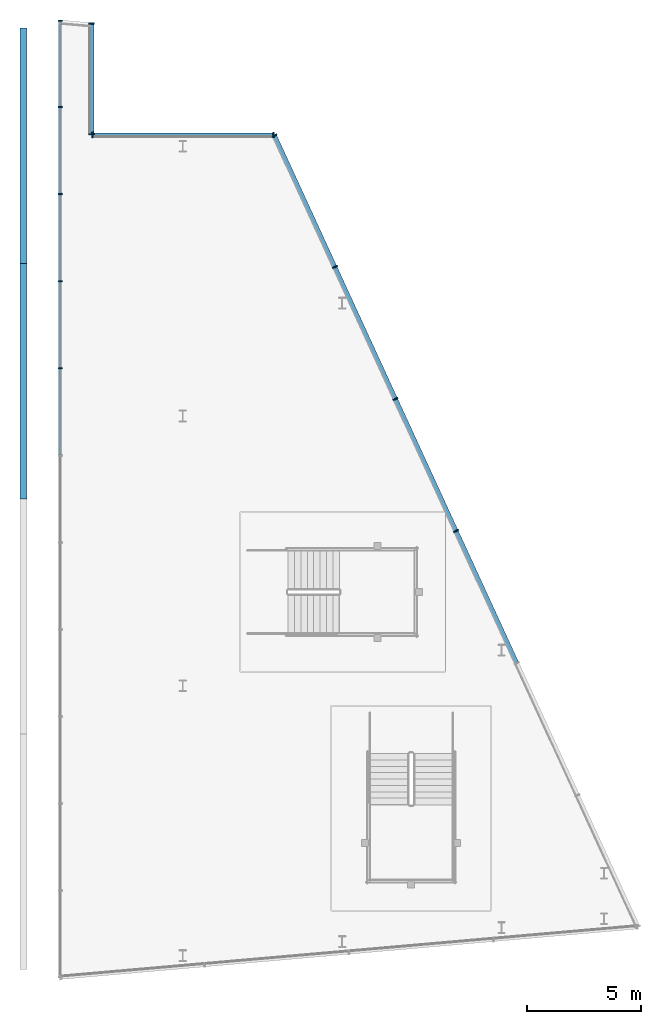
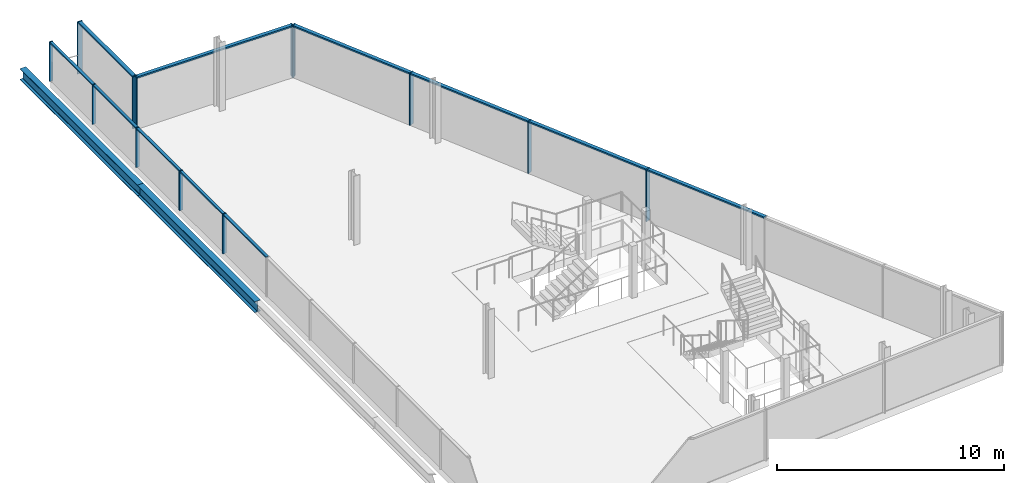
# One storey, part 3 of 6: 24 members, 2 beams, 4 elements without a shape of their own.
"""IFC4 building model written with IfcOpenShell, lengths in metres."""

from ifc_helpers import new_model, si_unit, direction, frame, origin, origin_2d, place, context, subcontext, project, spatial, rectangle, i_section, extrude, material, material_profile, profile_set, type_object, element, aggregate, save


model = new_model("IFC4")

# Units and contexts
model_context = context("Model", 3, precision=1e-05, world=origin(), true_north=direction((0.0, 1.0)))
body_context = subcontext(model_context, "Body", "Model", "MODEL_VIEW")
ifc_project = project(units=[si_unit("LENGTHUNIT", "METRE"), si_unit("AREAUNIT", "SQUARE_METRE"), si_unit("VOLUMEUNIT", "CUBIC_METRE"), si_unit("PLANEANGLEUNIT", "RADIAN"), si_unit("MASSUNIT", "GRAM", prefix="KILO")], contexts=[model_context])

# Site, building, storey
site_placement = place(None, origin())
site = spatial("IfcSite", under=ifc_project, at=site_placement, CompositionType="ELEMENT")
building_placement = place(site_placement, origin())
building = spatial("IfcBuilding", under=site, at=building_placement, Name="Wharfspan Tower", CompositionType="ELEMENT")
storey_placement = place(building_placement, frame((0.0, 0.0, 273.899902)))
storey = spatial("IfcBuildingStorey", under=building, at=storey_placement, Name="L70", CompositionType="ELEMENT", Elevation=273.899902)

# Curtain wall, members
ifc_material_1 = material(Name="Aluminium 6063-T6", Category="aluminium")
curtain_wall_type_1 = type_object("IfcCurtainWallType", Name="CURTAIN WALL CROWN GABLE", PredefinedType="NOTDEFINED", material=ifc_material_1)
curtain_wall_1_placement = place(storey_placement, origin())
curtain_wall_1 = element("IfcCurtainWall", 1, at=curtain_wall_1_placement, inside=storey, type_object=curtain_wall_type_1, Name="Crown gable glazing", PredefinedType="NOTDEFINED")
ifc_material_profile_1 = material_profile(ifc_material_1, rectangle(XDim=0.179932, YDim=0.060059, at=origin_2d()))
ifc_profile_set_1 = profile_set([ifc_material_profile_1], Name="Aluminium 6063-T6")
member_type_1 = type_object("IfcMemberType", Name="MULLION CROWN GABLE 60x180", PredefinedType="MULLION", material=ifc_profile_set_1)
member_1_placement = place(storey_placement, frame((52.611328, 33.349121, 0.0), z_axis=(0.0, 0.0, 1.0), x_axis=(-1.0, 0.0, 0.0)))
member_1 = element("IfcMember", 2, at=member_1_placement, type_object=member_type_1, Name="Crown gable glazing mullion 8", PredefinedType="MULLION", context=body_context, shape_type="SweptSolid", body=[
    extrude(rectangle(XDim=0.179932, YDim=0.060059, at=origin_2d()), origin(), (0.0, 0.0, 1.0), 2.124512),
])
member_2_placement = place(storey_placement, frame((52.611328, 37.17334, 0.0), z_axis=(0.0, 0.0, 1.0), x_axis=(-1.0, 0.0, 0.0)))
member_2 = element("IfcMember", 3, at=member_2_placement, type_object=member_type_1, Name="Crown gable glazing mullion 9", PredefinedType="MULLION", context=body_context, shape_type="SweptSolid", body=[
    extrude(rectangle(XDim=0.179932, YDim=0.060059, at=origin_2d()), origin(), (0.0, 0.0, 1.0), 2.124512),
])
member_3_placement = place(storey_placement, frame((52.611328, 40.997803, 0.0), z_axis=(0.0, 0.0, 1.0), x_axis=(-1.0, 0.0, 0.0)))
member_3 = element("IfcMember", 4, at=member_3_placement, type_object=member_type_1, Name="Crown gable glazing mullion 10", PredefinedType="MULLION", context=body_context, shape_type="SweptSolid", body=[
    extrude(rectangle(XDim=0.179932, YDim=0.060059, at=origin_2d()), origin(), (0.0, 0.0, 1.0), 2.124512),
])
member_4_placement = place(storey_placement, frame((52.611328, 44.822021, 0.0), z_axis=(0.0, 0.0, 1.0), x_axis=(-1.0, 0.0, 0.0)))
member_4 = element("IfcMember", 5, at=member_4_placement, type_object=member_type_1, Name="Crown gable glazing mullion 11", PredefinedType="MULLION", context=body_context, shape_type="SweptSolid", body=[
    extrude(rectangle(XDim=0.179932, YDim=0.060059, at=origin_2d()), origin(), (0.0, 0.0, 1.0), 2.124512),
])
member_5_placement = place(storey_placement, frame((52.611328, 48.616455, 0.0), z_axis=(0.0, 0.0, 1.0), x_axis=(-1.0, 0.0, 0.0)))
member_5 = element("IfcMember", 6, at=member_5_placement, type_object=member_type_1, Name="Crown gable glazing mullion 12", PredefinedType="MULLION", context=body_context, shape_type="SweptSolid", body=[
    extrude(rectangle(XDim=0.179932, YDim=0.060059, at=origin_2d()), origin(), (0.0, 0.0, 1.0), 2.124512),
])

curtain_wall_type_2 = type_object("IfcCurtainWallType", Name="CURTAIN WALL PROW AND END", PredefinedType="NOTDEFINED", material=ifc_material_1)
curtain_wall_2_placement = place(storey_placement, origin())
curtain_wall_2 = element("IfcCurtainWall", 7, at=curtain_wall_2_placement, inside=storey, type_object=curtain_wall_type_2, Name="Crown curtain wall E", PredefinedType="NOTDEFINED")
ifc_material_profile_2 = material_profile(ifc_material_1, rectangle(XDim=0.23999, YDim=0.060059, at=origin_2d()))
ifc_profile_set_2 = profile_set([ifc_material_profile_2], Name="Aluminium 6063-T6")
member_type_2 = type_object("IfcMemberType", Name="MULLION PROW AND END 60x240", PredefinedType="MULLION", material=ifc_profile_set_2)
member_6_placement = place(storey_placement, frame((70.010254, 26.199951, 0.0), z_axis=(0.0, 0.0, 1.0), x_axis=(-0.908769, -0.417292, 0.0)))
member_6 = element("IfcMember", 8, at=member_6_placement, type_object=member_type_2, Name="Crown curtain wall E mullion 4", PredefinedType="MULLION", context=body_context, shape_type="SweptSolid", body=[
    extrude(rectangle(XDim=0.23999, YDim=0.060059, at=origin_2d()), origin(), (0.0, 0.0, 1.0), 2.800049),
])
member_7_placement = place(storey_placement, frame((67.346924, 32.0, 0.0), z_axis=(0.0, 0.0, 1.0), x_axis=(-0.908769, -0.417292, 0.0)))
member_7 = element("IfcMember", 9, at=member_7_placement, type_object=member_type_2, Name="Crown curtain wall E mullion 5", PredefinedType="MULLION", context=body_context, shape_type="SweptSolid", body=[
    extrude(rectangle(XDim=0.23999, YDim=0.060059, at=origin_2d()), origin(), (0.0, 0.0, 1.0), 2.800049),
])
member_8_placement = place(storey_placement, frame((64.683594, 37.800049, 0.0), z_axis=(0.0, 0.0, 1.0), x_axis=(-0.908769, -0.417292, 0.0)))
member_8 = element("IfcMember", 10, at=member_8_placement, type_object=member_type_2, Name="Crown curtain wall E mullion 6", PredefinedType="MULLION", context=body_context, shape_type="SweptSolid", body=[
    extrude(rectangle(XDim=0.23999, YDim=0.060059, at=origin_2d()), origin(), (0.0, 0.0, 1.0), 2.800049),
])
member_9_placement = place(storey_placement, frame((62.032959, 43.572754, 0.0), z_axis=(0.0, 0.0, 1.0), x_axis=(-0.908769, -0.417292, 0.0)))
member_9 = element("IfcMember", 11, at=member_9_placement, type_object=member_type_2, Name="Crown curtain wall E mullion 7", PredefinedType="MULLION", context=body_context, shape_type="SweptSolid", body=[
    extrude(rectangle(XDim=0.23999, YDim=0.060059, at=origin_2d()), origin(), (0.0, 0.0, 1.0), 2.800049),
])

curtain_wall_3_placement = place(storey_placement, origin())
curtain_wall_3 = element("IfcCurtainWall", 12, at=curtain_wall_3_placement, inside=storey, type_object=curtain_wall_type_2, Name="Crown curtain wall NRE-H", PredefinedType="NOTDEFINED")
member_10_placement = place(storey_placement, frame((61.990479, 43.600098, 0.0), z_axis=(0.0, 0.0, 1.0), x_axis=(0.0, -1.0, 0.0)))
member_10 = element("IfcMember", 13, at=member_10_placement, type_object=member_type_2, Name="Crown curtain wall NRE-H mullion 1", PredefinedType="MULLION", context=body_context, shape_type="SweptSolid", body=[
    extrude(rectangle(XDim=0.23999, YDim=0.060059, at=origin_2d()), origin(), (0.0, 0.0, 1.0), 2.800049),
])
member_11_placement = place(storey_placement, frame((54.030029, 43.600098, 0.0), z_axis=(0.0, 0.0, 1.0), x_axis=(0.0, -1.0, 0.0)))
member_11 = element("IfcMember", 14, at=member_11_placement, type_object=member_type_2, Name="Crown curtain wall NRE-H mullion 2", PredefinedType="MULLION", context=body_context, shape_type="SweptSolid", body=[
    extrude(rectangle(XDim=0.23999, YDim=0.060059, at=origin_2d()), origin(), (0.0, 0.0, 1.0), 2.800049),
])

curtain_wall_4_placement = place(storey_placement, origin())
curtain_wall_4 = element("IfcCurtainWall", 15, at=curtain_wall_4_placement, inside=storey, type_object=curtain_wall_type_2, Name="Crown curtain wall NRE-V", PredefinedType="NOTDEFINED")
member_12_placement = place(storey_placement, frame((54.0, 43.629883, 0.0), z_axis=(0.0, 0.0, 1.0), x_axis=(-1.0, 0.0, 0.0)))
member_12 = element("IfcMember", 16, at=member_12_placement, type_object=member_type_2, Name="Crown curtain wall NRE-V mullion 1", PredefinedType="MULLION", context=body_context, shape_type="SweptSolid", body=[
    extrude(rectangle(XDim=0.23999, YDim=0.060059, at=origin_2d()), origin(), (0.0, 0.0, 1.0), 2.800049),
])
member_13_placement = place(storey_placement, frame((54.0, 48.494873, 0.0), z_axis=(0.0, 0.0, 1.0), x_axis=(-1.0, 0.0, 0.0)))
member_13 = element("IfcMember", 17, at=member_13_placement, type_object=member_type_2, Name="Crown curtain wall NRE-V mullion 2", PredefinedType="MULLION", context=body_context, shape_type="SweptSolid", body=[
    extrude(rectangle(XDim=0.23999, YDim=0.060059, at=origin_2d()), origin(), (0.0, 0.0, 1.0), 2.800049),
])

# Beams
ifc_material_2 = material(Name="Steel S355J2", Category="steel")
ifc_material_profile_3 = material_profile(ifc_material_2, i_section(OverallWidth=0.300049, OverallDepth=0.600098, WebThickness=0.015381, FlangeThickness=0.030029, FilletRadius=0.0271, at=origin_2d()))
ifc_profile_set_3 = profile_set([ifc_material_profile_3], Name="Steel S355J2")
beam_type = type_object("IfcBeamType", Name="Roof girder HEB 600", PredefinedType="BEAM", material=ifc_profile_set_3)
for number, where, z_axis, x_axis, name in (
    (18, (51.0, 27.612549, 1.178467), (0.0, 1.0, 0.0), (-1.0, 0.0, 0.0), "Roof girder G5 28 to 38"),
    (19, (51.0, 37.949951, 1.178467), (0.0, 1.0, 0.0), (-1.0, 0.0, 0.0), "Roof girder G5 38 to 48"),
):
    element("IfcBeam", number, at=place(storey_placement, frame(where, z_axis=z_axis, x_axis=x_axis)), inside=storey, type_object=beam_type, Name=name, PredefinedType="BEAM", context=body_context, shape_type="SweptSolid", body=[
        extrude(i_section(OverallWidth=0.300049, OverallDepth=0.600098, WebThickness=0.015381, FlangeThickness=0.030029, FilletRadius=0.0271, at=origin_2d()), origin(), (0.0, 0.0, 1.0), 10.337402),
    ])

# Member
ifc_material_profile_4 = material_profile(ifc_material_1, rectangle(XDim=0.139893, YDim=0.070068, at=origin_2d()))
ifc_profile_set_4 = profile_set([ifc_material_profile_4], Name="Aluminium 6063-T6")
member_type_3 = type_object("IfcMemberType", Name="TRANSOM CROWN GABLE 70x140", PredefinedType="USERDEFINED", material=ifc_profile_set_4)
member_14_placement = place(storey_placement, frame((52.611328, 29.554688, 2.089355), z_axis=(0.0, 1.0, 0.0), x_axis=(-1.0, 0.0, 0.0)))
member_14 = element("IfcMember", 20, at=member_14_placement, type_object=member_type_3, Name="Crown gable glazing transom 7", ObjectType="TRANSOM", PredefinedType="USERDEFINED", context=body_context, shape_type="SweptSolid", body=[
    extrude(rectangle(XDim=0.139893, YDim=0.070068, at=origin_2d()), origin(), (0.0, 0.0, 1.0), 3.764404),
])

member_15_placement = place(storey_placement, frame((52.611328, 33.37915, 2.089355), z_axis=(0.0, 1.0, 0.0), x_axis=(-1.0, 0.0, 0.0)))
member_15 = element("IfcMember", 21, at=member_15_placement, type_object=member_type_3, Name="Crown gable glazing transom 8", ObjectType="TRANSOM", PredefinedType="USERDEFINED", context=body_context, shape_type="SweptSolid", body=[
    extrude(rectangle(XDim=0.139893, YDim=0.070068, at=origin_2d()), origin(), (0.0, 0.0, 1.0), 3.76416),
])

member_16_placement = place(storey_placement, frame((52.611328, 37.203369, 2.089355), z_axis=(0.0, 1.0, 0.0), x_axis=(-1.0, 0.0, 0.0)))
member_16 = element("IfcMember", 22, at=member_16_placement, type_object=member_type_3, Name="Crown gable glazing transom 9", ObjectType="TRANSOM", PredefinedType="USERDEFINED", context=body_context, shape_type="SweptSolid", body=[
    extrude(rectangle(XDim=0.139893, YDim=0.070068, at=origin_2d()), origin(), (0.0, 0.0, 1.0), 3.764404),
])

member_17_placement = place(storey_placement, frame((52.611328, 41.027832, 2.089355), z_axis=(0.0, 1.0, 0.0), x_axis=(-1.0, 0.0, 0.0)))
member_17 = element("IfcMember", 23, at=member_17_placement, type_object=member_type_3, Name="Crown gable glazing transom 10", ObjectType="TRANSOM", PredefinedType="USERDEFINED", context=body_context, shape_type="SweptSolid", body=[
    extrude(rectangle(XDim=0.139893, YDim=0.070068, at=origin_2d()), origin(), (0.0, 0.0, 1.0), 3.76416),
])

member_18_placement = place(storey_placement, frame((52.611328, 44.852051, 2.089355), z_axis=(0.0, 1.0, 0.0), x_axis=(-1.0, 0.0, 0.0)))
member_18 = element("IfcMember", 24, at=member_18_placement, type_object=member_type_3, Name="Crown gable glazing transom 11", ObjectType="TRANSOM", PredefinedType="USERDEFINED", context=body_context, shape_type="SweptSolid", body=[
    extrude(rectangle(XDim=0.139893, YDim=0.070068, at=origin_2d()), origin(), (0.0, 0.0, 1.0), 3.734375),
])

aggregate(curtain_wall_1, [member_1, member_2, member_3, member_4, member_5, member_14, member_15, member_16, member_17, member_18])

ifc_material_profile_5 = material_profile(ifc_material_1, rectangle(XDim=0.179932, YDim=0.080078, at=origin_2d()))
ifc_profile_set_5 = profile_set([ifc_material_profile_5], Name="Aluminium 6063-T6")
member_type_4 = type_object("IfcMemberType", Name="TRANSOM PROW AND END 80x180", PredefinedType="USERDEFINED", material=ifc_profile_set_5)
member_19_placement = place(storey_placement, frame((72.660889, 20.427246, 2.76001), z_axis=(-0.41728, 0.908778, 0.0), x_axis=(-0.908778, -0.41728, 0.0)))
member_19 = element("IfcMember", 25, at=member_19_placement, type_object=member_type_4, Name="Crown curtain wall E transom 3", ObjectType="TRANSOM", PredefinedType="USERDEFINED", context=body_context, shape_type="SweptSolid", body=[
    extrude(rectangle(XDim=0.179932, YDim=0.080078, at=origin_2d()), origin(), (0.0, 0.0, 1.0), 6.322266),
])

member_20_placement = place(storey_placement, frame((69.997803, 26.227295, 2.76001), z_axis=(-0.417326, 0.908757, 0.0), x_axis=(-0.908757, -0.417326, 0.0)))
member_20 = element("IfcMember", 26, at=member_20_placement, type_object=member_type_4, Name="Crown curtain wall E transom 4", ObjectType="TRANSOM", PredefinedType="USERDEFINED", context=body_context, shape_type="SweptSolid", body=[
    extrude(rectangle(XDim=0.179932, YDim=0.080078, at=origin_2d()), origin(), (0.0, 0.0, 1.0), 6.322266),
])

member_21_placement = place(storey_placement, frame((67.334473, 32.027344, 2.76001), z_axis=(-0.417294, 0.908771, 0.0), x_axis=(-0.908771, -0.417294, 0.0)))
member_21 = element("IfcMember", 27, at=member_21_placement, type_object=member_type_4, Name="Crown curtain wall E transom 5", ObjectType="TRANSOM", PredefinedType="USERDEFINED", context=body_context, shape_type="SweptSolid", body=[
    extrude(rectangle(XDim=0.179932, YDim=0.080078, at=origin_2d()), origin(), (0.0, 0.0, 1.0), 6.322021),
])

member_22_placement = place(storey_placement, frame((64.671143, 37.827148, 2.76001), z_axis=(-0.417293, 0.908772, 0.0), x_axis=(-0.908772, -0.417293, 0.0)))
member_22 = element("IfcMember", 28, at=member_22_placement, type_object=member_type_4, Name="Crown curtain wall E transom 6", ObjectType="TRANSOM", PredefinedType="USERDEFINED", context=body_context, shape_type="SweptSolid", body=[
    extrude(rectangle(XDim=0.179932, YDim=0.080078, at=origin_2d()), origin(), (0.0, 0.0, 1.0), 6.292236),
])

aggregate(curtain_wall_2, [member_6, member_7, member_8, member_9, member_19, member_20, member_21, member_22])

member_23_placement = place(storey_placement, frame((61.960449, 43.600098, 2.76001), z_axis=(-1.0, 0.0, 0.0), x_axis=(0.0, -1.0, 0.0)))
member_23 = element("IfcMember", 29, at=member_23_placement, type_object=member_type_4, Name="Crown curtain wall NRE-H transom 1", ObjectType="TRANSOM", PredefinedType="USERDEFINED", context=body_context, shape_type="SweptSolid", body=[
    extrude(rectangle(XDim=0.179932, YDim=0.080078, at=origin_2d()), origin(), (0.0, 0.0, 1.0), 7.900391),
])

aggregate(curtain_wall_3, [member_10, member_11, member_23])

member_24_placement = place(storey_placement, frame((54.0, 43.659912, 2.76001), z_axis=(0.0, 1.0, 0.0), x_axis=(-1.0, 0.0, 0.0)))
member_24 = element("IfcMember", 30, at=member_24_placement, type_object=member_type_4, Name="Crown curtain wall NRE-V transom 1", ObjectType="TRANSOM", PredefinedType="USERDEFINED", context=body_context, shape_type="SweptSolid", body=[
    extrude(rectangle(XDim=0.179932, YDim=0.080078, at=origin_2d()), origin(), (0.0, 0.0, 1.0), 4.804932),
])

aggregate(curtain_wall_4, [member_12, member_13, member_24])

save(model, "model.ifc")
